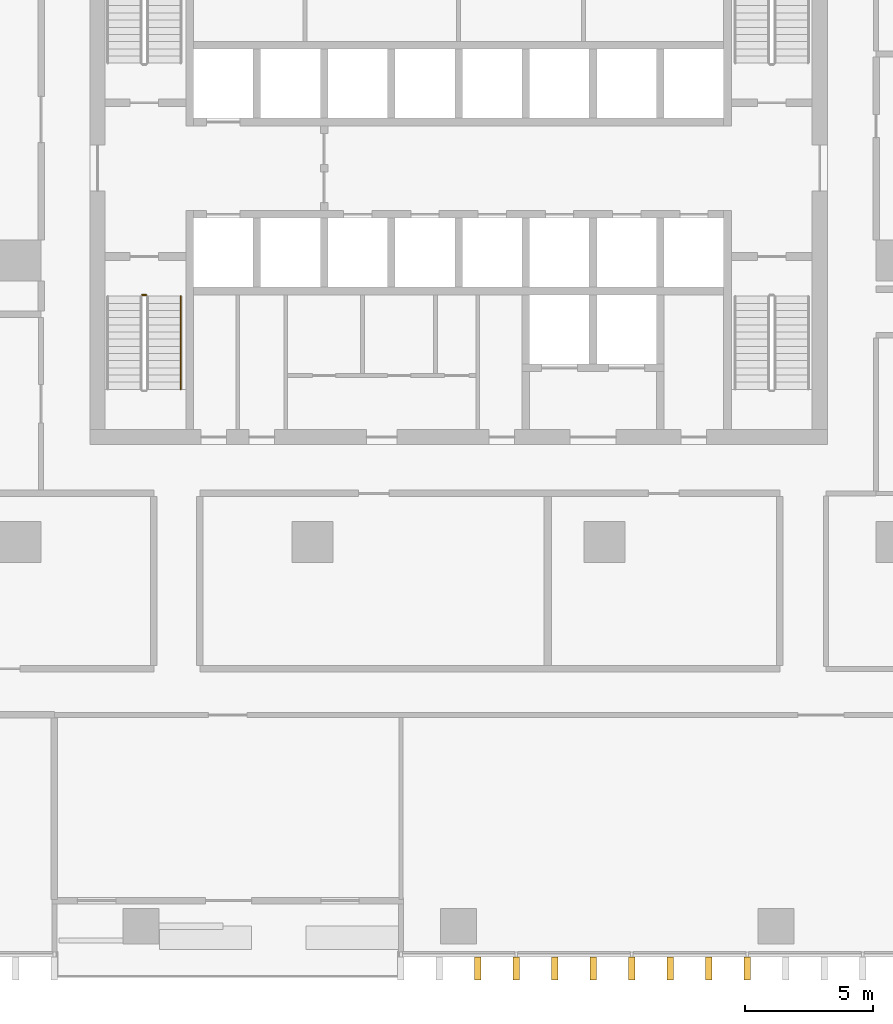
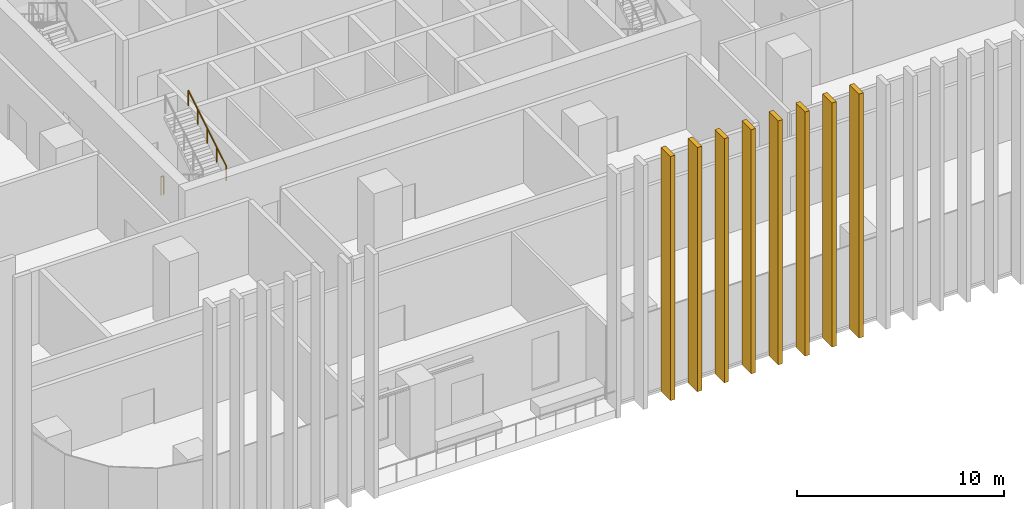
# One storey, part 12 of 16: 8 shading devices, 2 railings.
"""IFC4 building model written with IfcOpenShell, lengths in metres."""

from ifc_helpers import new_model, si_unit, direction, frame, origin, origin_2d, place, context, subcontext, project, spatial, rectangle, circle, extrude, material, type_object, element, save


model = new_model("IFC4")

# Units and contexts
model_context = context("Model", 3, precision=1e-05, world=origin(), true_north=direction((0.0, 1.0)))
body_context = subcontext(model_context, "Body", "Model", "MODEL_VIEW")
ifc_project = project(units=[si_unit("LENGTHUNIT", "METRE"), si_unit("AREAUNIT", "SQUARE_METRE"), si_unit("VOLUMEUNIT", "CUBIC_METRE"), si_unit("PLANEANGLEUNIT", "RADIAN"), si_unit("MASSUNIT", "GRAM", prefix="KILO")], contexts=[model_context])

# Site, building, storey
site_placement = place(None, origin())
site = spatial("IfcSite", under=ifc_project, at=site_placement, CompositionType="ELEMENT")
building_placement = place(site_placement, origin())
building = spatial("IfcBuilding", under=site, at=building_placement, Name="Mopane Tessera Tower", CompositionType="ELEMENT")
storey_placement = place(building_placement, frame((0.0, 0.0, 59.800048828125)))
storey = spatial("IfcBuildingStorey", under=building, at=storey_placement, Name="L11", CompositionType="ELEMENT", Elevation=59.800048828125)

# Shading devices
ifc_material_1 = material(Name="Glazed ceramic tile")
shading_device_type = type_object("IfcShadingDeviceType", Name="Ceramic tile fin 900 x 250 mm", PredefinedType="USERDEFINED", material=ifc_material_1)
for number, where, z_axis, x_axis, name in (
    (1, (0.75146484375, -27.64990234375, -0.449951171875), (0.0, 0.0, 1.0), (1.0, 0.0, 0.0), "e:fin:L11:S:5:2"),
    (2, (2.254638671875, -27.64990234375, -0.449951171875), (0.0, 0.0, 1.0), (1.0, 0.0, 0.0), "e:fin:L11:S:6:0"),
    (3, (3.757568359375, -27.64990234375, -0.449951171875), (0.0, 0.0, 1.0), (1.0, 0.0, 0.0), "e:fin:L11:S:6:1"),
    (4, (5.260498046875, -27.64990234375, -0.449951171875), (0.0, 0.0, 1.0), (1.0, 0.0, 0.0), "e:fin:L11:S:6:2"),
    (5, (6.763671875, -27.64990234375, -0.449951171875), (0.0, 0.0, 1.0), (1.0, 0.0, 0.0), "e:fin:L11:S:7:0"),
    (6, (8.2666015625, -27.64990234375, -0.449951171875), (0.0, 0.0, 1.0), (1.0, 0.0, 0.0), "e:fin:L11:S:7:1"),
    (7, (9.769775390625, -27.64990234375, -0.449951171875), (0.0, 0.0, 1.0), (1.0, 0.0, 0.0), "e:fin:L11:S:7:2"),
    (8, (11.272705078125, -27.64990234375, -0.449951171875), (0.0, 0.0, 1.0), (1.0, 0.0, 0.0), "e:fin:L11:S:8:0"),
):
    element("IfcShadingDevice", number, at=place(storey_placement, frame(where, z_axis=z_axis, x_axis=x_axis)), inside=storey, type_object=shading_device_type, Name=name, ObjectType="FIN", PredefinedType="USERDEFINED", context=body_context, shape_type="SweptSolid", body=[
        extrude(rectangle(XDim=0.25, YDim=0.89990234375, at=origin_2d()), origin(), (0.0, 0.0, 1.0), 14.39990234375),
    ])

# Railings
ifc_material_2 = material(Name="Powder-coated steel balustrade", Category="steel")
railing_type_1 = type_object("IfcRailingType", Name="Escape stair guard 1100 mm", PredefinedType="GUARDRAIL", material=ifc_material_2)
railing_1_placement = place(storey_placement, frame((-12.35009765625, -1.35009765625, 0.0)))
element("IfcRailing", 9, at=railing_1_placement, inside=storey, type_object=railing_type_1, Name="L11 ST1 stair guard 3", PredefinedType="GUARDRAIL", context=body_context, shape_type="SweptSolid", body=[
    extrude(circle(Radius=0.02392578125, at=origin_2d()), frame((0.0, 0.0, 1.076171875), z_axis=(1.0, 0.0, 0.0), x_axis=(0.0, 1.0, 0.0)), (0.0, 0.0, 1.0), 0.150146484375),
    extrude(circle(Radius=0.02099609375, at=origin_2d()), origin(), (0.0, 0.0, 1.0), 1.052001953125),
    extrude(circle(Radius=0.02099609375, at=origin_2d()), frame((0.150146484375, 0.0, 0.0)), (0.0, 0.0, 1.0), 1.052001953125),
])
ifc_material_3 = material(Name="Powder-coated steel balustrade", Category="steel")
railing_type_2 = type_object("IfcRailingType", Name="Escape stair handrail 900 mm", PredefinedType="HANDRAIL", material=ifc_material_3)
railing_2_placement = place(storey_placement, frame((-10.85009765625, -5.0400390625, 2.5712890625)))
element("IfcRailing", 10, at=railing_2_placement, inside=storey, type_object=railing_type_2, Name="L11 ST1 stair handrail 2", PredefinedType="HANDRAIL", context=body_context, shape_type="SweptSolid", body=[
    extrude(circle(Radius=0.02392578125, at=origin_2d()), frame((0.0, 0.0, 0.8759765625), z_axis=(0.0, 0.852840387347, 0.522171689878), x_axis=(-1.0, 0.0, 0.0)), (0.0, 0.0, 1.0), 4.268310546875),
    extrude(circle(Radius=0.02099609375, at=origin_2d()), origin(), (0.0, 0.0, 1.0), 0.851806640625),
    extrude(circle(Radius=0.02099609375, at=origin_2d()), frame((0.0, 0.91015625, 0.55712890625)), (0.0, 0.0, 1.0), 0.851806640625),
    extrude(circle(Radius=0.02099609375, at=origin_2d()), frame((0.0, 1.820068359375, 1.1142578125)), (0.0, 0.0, 1.0), 0.851806640625),
    extrude(circle(Radius=0.02099609375, at=origin_2d()), frame((0.0, 2.72998046875, 1.671630859375)), (0.0, 0.0, 1.0), 0.851806640625),
    extrude(circle(Radius=0.02099609375, at=origin_2d()), frame((0.0, 3.64013671875, 2.228759765625)), (0.0, 0.0, 1.0), 0.851806640625),
])

save(model, "model.ifc")
